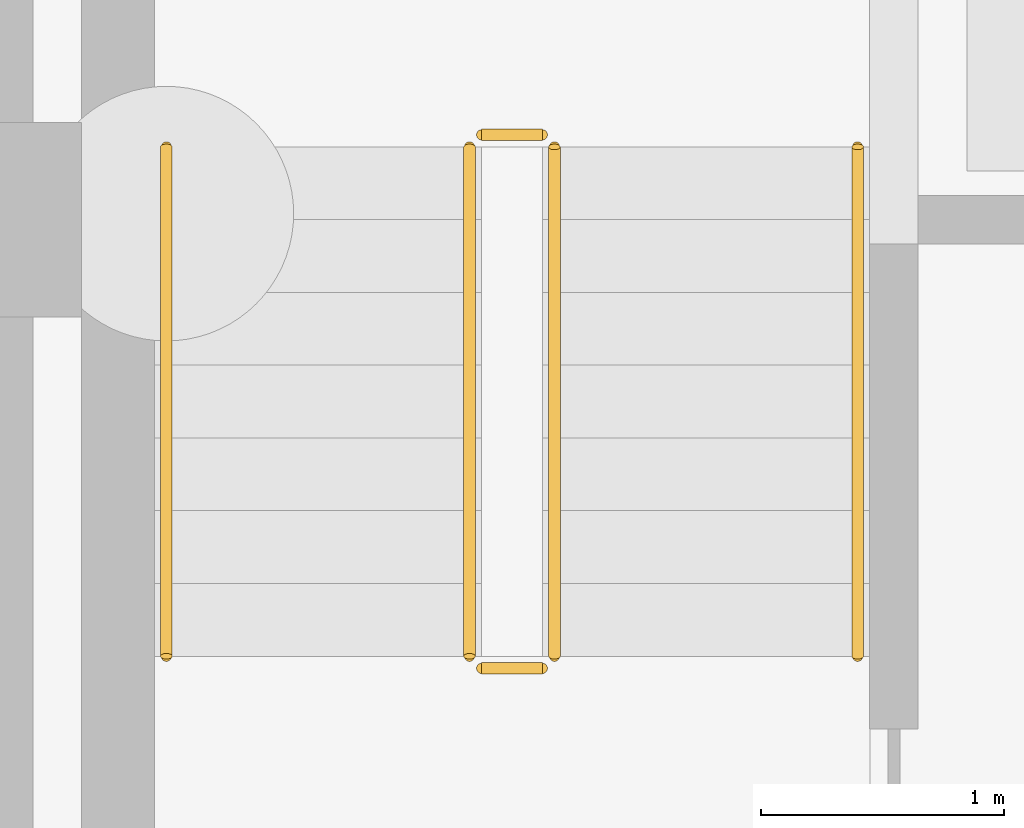
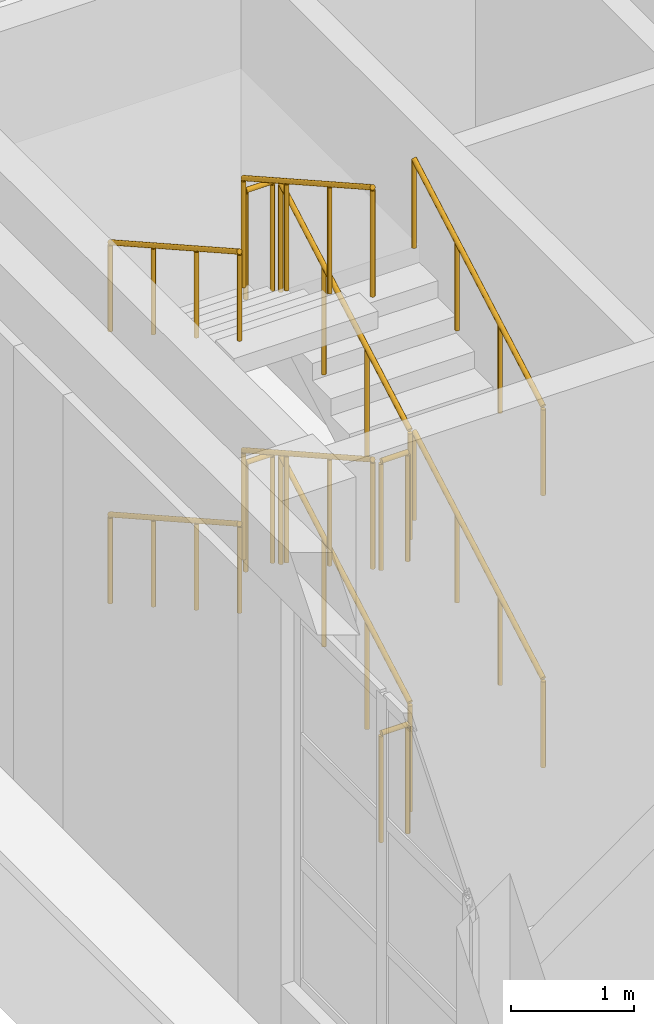
# One storey, part 70 of 80: 12 railings.
"""IFC4 building model written with IfcOpenShell, lengths in metres."""

from ifc_helpers import new_model, si_unit, direction, frame, origin, origin_2d, place, context, subcontext, project, spatial, circle, extrude, material, type_object, element, save


model = new_model("IFC4")

# Units and contexts
model_context = context("Model", 3, precision=1e-05, world=origin(), true_north=direction((0.0, 1.0)))
body_context = subcontext(model_context, "Body", "Model", "MODEL_VIEW")
ifc_project = project(units=[si_unit("LENGTHUNIT", "METRE"), si_unit("AREAUNIT", "SQUARE_METRE"), si_unit("VOLUMEUNIT", "CUBIC_METRE"), si_unit("PLANEANGLEUNIT", "RADIAN"), si_unit("MASSUNIT", "GRAM", prefix="KILO")], contexts=[model_context])

# Site, building, storey
site_placement = place(None, origin())
site = spatial("IfcSite", under=ifc_project, at=site_placement, CompositionType="ELEMENT")
building_placement = place(site_placement, origin())
building = spatial("IfcBuilding", under=site, at=building_placement, Name="Ussher Court Research Institute", CompositionType="ELEMENT")
storey_placement = place(building_placement, origin())
storey = spatial("IfcBuildingStorey", under=building, at=storey_placement, Name="L00", CompositionType="ELEMENT", Elevation=0.0)

# Railings
ifc_material_1 = material(Name="Painted steel balustrade", Category="steel")
railing_type_1 = type_object("IfcRailingType", Name="Stair guard 1100 steel balustrade", PredefinedType="GUARDRAIL", material=ifc_material_1)
railing_1_placement = place(storey_placement, frame((5.050048828125, 85.0, 0.168701171875)))
element("IfcRailing", 1, at=railing_1_placement, inside=storey, type_object=railing_type_1, Name="L00 D1 stair guard 1", PredefinedType="GUARDRAIL", context=body_context, shape_type="SweptSolid", body=[
    extrude(circle(Radius=0.02392578125, at=origin_2d()), frame((0.0, 0.0, 1.076171875), z_axis=(0.0, 0.871559301308, 0.490290102189), x_axis=(-1.0, 0.0, 0.0)), (0.0, 0.0, 1.0), 2.40966796875),
    extrude(circle(Radius=0.02099609375, at=origin_2d()), origin(), (0.0, 0.0, 1.0), 1.052001953125),
    extrude(circle(Radius=0.02099609375, at=origin_2d()), frame((0.0, 0.699951171875, 0.393798828125)), (0.0, 0.0, 1.0), 1.052001953125),
    extrude(circle(Radius=0.02099609375, at=origin_2d()), frame((0.0, 1.400146484375, 0.78759765625)), (0.0, 0.0, 1.0), 1.052001953125),
    extrude(circle(Radius=0.02099609375, at=origin_2d()), frame((0.0, 2.10009765625, 1.181396484375)), (0.0, 0.0, 1.0), 1.052001953125),
])
railing_2_placement = place(storey_placement, frame((5.0, 87.14990234375, 1.35009765625)))
element("IfcRailing", 2, at=railing_2_placement, inside=storey, type_object=railing_type_1, Name="L00 D1 stair guard 2", PredefinedType="GUARDRAIL", context=body_context, shape_type="SweptSolid", body=[
    extrude(circle(Radius=0.02392578125, at=origin_2d()), frame((0.0, 0.0, 1.076171875), z_axis=(-1.0, 0.0, 0.0), x_axis=(0.0, -1.0, 0.0)), (0.0, 0.0, 1.0), 0.25),
    extrude(circle(Radius=0.02099609375, at=origin_2d()), origin(), (0.0, 0.0, 1.0), 1.052001953125),
    extrude(circle(Radius=0.02099609375, at=origin_2d()), frame((-0.25, 0.0, 0.0)), (0.0, 0.0, 1.0), 1.052001953125),
])
railing_3_placement = place(storey_placement, frame((4.699951171875, 87.10009765625, 1.518798828125)))
element("IfcRailing", 3, at=railing_3_placement, inside=storey, type_object=railing_type_1, Name="L00 D1 stair guard 3", PredefinedType="GUARDRAIL", context=body_context, shape_type="SweptSolid", body=[
    extrude(circle(Radius=0.02392578125, at=origin_2d()), frame((0.0, 0.0, 1.076171875), z_axis=(0.0, -0.871602596039, 0.490213131788), x_axis=(1.0, 0.0, 0.0)), (0.0, 0.0, 1.0), 2.409423828125),
    extrude(circle(Radius=0.02099609375, at=origin_2d()), origin(), (0.0, 0.0, 1.0), 1.052001953125),
    extrude(circle(Radius=0.02099609375, at=origin_2d()), frame((0.0, -0.699951171875, 0.393798828125)), (0.0, 0.0, 1.0), 1.052001953125),
    extrude(circle(Radius=0.02099609375, at=origin_2d()), frame((0.0, -1.400146484375, 0.787353515625)), (0.0, 0.0, 1.0), 1.052001953125),
    extrude(circle(Radius=0.02099609375, at=origin_2d()), frame((0.0, -2.10009765625, 1.18115234375)), (0.0, 0.0, 1.0), 1.052001953125),
])
railing_4_placement = place(storey_placement, frame((5.0, 84.949951171875, 2.699951171875)))
element("IfcRailing", 4, at=railing_4_placement, inside=storey, type_object=railing_type_1, Name="L00 D1 stair guard 4", PredefinedType="GUARDRAIL", context=body_context, shape_type="SweptSolid", body=[
    extrude(circle(Radius=0.02392578125, at=origin_2d()), frame((0.0, 0.0, 1.076171875), z_axis=(-1.0, 0.0, 0.0), x_axis=(0.0, -1.0, 0.0)), (0.0, 0.0, 1.0), 0.25),
    extrude(circle(Radius=0.02099609375, at=origin_2d()), origin(), (0.0, 0.0, 1.0), 1.052001953125),
    extrude(circle(Radius=0.02099609375, at=origin_2d()), frame((-0.25, 0.0, 0.0)), (0.0, 0.0, 1.0), 1.052001953125),
])
railing_5_placement = place(storey_placement, frame((5.050048828125, 85.0, 2.86865234375)))
element("IfcRailing", 5, at=railing_5_placement, inside=storey, type_object=railing_type_1, Name="L00 D1 stair guard 5", PredefinedType="GUARDRAIL", context=body_context, shape_type="SweptSolid", body=[
    extrude(circle(Radius=0.02392578125, at=origin_2d()), frame((0.0, 0.0, 1.076171875), z_axis=(0.0, 0.871559301308, 0.490290102189), x_axis=(-1.0, 0.0, 0.0)), (0.0, 0.0, 1.0), 2.40966796875),
    extrude(circle(Radius=0.02099609375, at=origin_2d()), origin(), (0.0, 0.0, 1.0), 1.052001953125),
    extrude(circle(Radius=0.02099609375, at=origin_2d()), frame((0.0, 0.699951171875, 0.393798828125)), (0.0, 0.0, 1.0), 1.052001953125),
    extrude(circle(Radius=0.02099609375, at=origin_2d()), frame((0.0, 1.400146484375, 0.78759765625)), (0.0, 0.0, 1.0), 1.052001953125),
    extrude(circle(Radius=0.02099609375, at=origin_2d()), frame((0.0, 2.10009765625, 1.181396484375)), (0.0, 0.0, 1.0), 1.052001953125),
])
railing_6_placement = place(storey_placement, frame((5.0, 87.14990234375, 4.050048828125)))
element("IfcRailing", 6, at=railing_6_placement, inside=storey, type_object=railing_type_1, Name="L00 D1 stair guard 6", PredefinedType="GUARDRAIL", context=body_context, shape_type="SweptSolid", body=[
    extrude(circle(Radius=0.02392578125, at=origin_2d()), frame((0.0, 0.0, 1.076171875), z_axis=(-1.0, 0.0, 0.0), x_axis=(0.0, -1.0, 0.0)), (0.0, 0.0, 1.0), 0.25),
    extrude(circle(Radius=0.02099609375, at=origin_2d()), origin(), (0.0, 0.0, 1.0), 1.052001953125),
    extrude(circle(Radius=0.02099609375, at=origin_2d()), frame((-0.25, 0.0, 0.0)), (0.0, 0.0, 1.0), 1.052001953125),
])
railing_7_placement = place(storey_placement, frame((4.699951171875, 87.10009765625, 4.21875)))
element("IfcRailing", 7, at=railing_7_placement, inside=storey, type_object=railing_type_1, Name="L00 D1 stair guard 7", PredefinedType="GUARDRAIL", context=body_context, shape_type="SweptSolid", body=[
    extrude(circle(Radius=0.02392578125, at=origin_2d()), frame((0.0, 0.0, 1.076171875), z_axis=(0.0, -0.871602596039, 0.490213131788), x_axis=(1.0, 0.0, 0.0)), (0.0, 0.0, 1.0), 2.409423828125),
    extrude(circle(Radius=0.02099609375, at=origin_2d()), origin(), (0.0, 0.0, 1.0), 1.052001953125),
    extrude(circle(Radius=0.02099609375, at=origin_2d()), frame((0.0, -0.699951171875, 0.393798828125)), (0.0, 0.0, 1.0), 1.052001953125),
    extrude(circle(Radius=0.02099609375, at=origin_2d()), frame((0.0, -1.400146484375, 0.787353515625)), (0.0, 0.0, 1.0), 1.052001953125),
    extrude(circle(Radius=0.02099609375, at=origin_2d()), frame((0.0, -2.10009765625, 1.18115234375)), (0.0, 0.0, 1.0), 1.052001953125),
])
railing_8_placement = place(storey_placement, frame((5.0, 84.949951171875, 0.0)))
element("IfcRailing", 8, at=railing_8_placement, inside=storey, type_object=railing_type_1, Name="L00 D1 stair guard 8", PredefinedType="GUARDRAIL", context=body_context, shape_type="SweptSolid", body=[
    extrude(circle(Radius=0.02392578125, at=origin_2d()), frame((0.0, 0.0, 1.076171875), z_axis=(-1.0, 0.0, 0.0), x_axis=(0.0, -1.0, 0.0)), (0.0, 0.0, 1.0), 0.25),
    extrude(circle(Radius=0.02099609375, at=origin_2d()), origin(), (0.0, 0.0, 1.0), 1.052001953125),
    extrude(circle(Radius=0.02099609375, at=origin_2d()), frame((-0.25, 0.0, 0.0)), (0.0, 0.0, 1.0), 1.052001953125),
])
ifc_material_2 = material(Name="Painted steel handrail", Category="steel")
railing_type_2 = type_object("IfcRailingType", Name="Stair handrail 900 steel", PredefinedType="HANDRAIL", material=ifc_material_2)
railing_9_placement = place(storey_placement, frame((6.300048828125, 85.0, 0.168701171875)))
element("IfcRailing", 9, at=railing_9_placement, inside=storey, type_object=railing_type_2, Name="L00 D1 stair handrail 1", PredefinedType="HANDRAIL", context=body_context, shape_type="SweptSolid", body=[
    extrude(circle(Radius=0.02392578125, at=origin_2d()), frame((0.0, 0.0, 0.8759765625), z_axis=(0.0, 0.871559301308, 0.490290102189), x_axis=(-1.0, 0.0, 0.0)), (0.0, 0.0, 1.0), 2.40966796875),
    extrude(circle(Radius=0.02099609375, at=origin_2d()), origin(), (0.0, 0.0, 1.0), 0.851806640625),
    extrude(circle(Radius=0.02099609375, at=origin_2d()), frame((0.0, 0.699951171875, 0.393798828125)), (0.0, 0.0, 1.0), 0.851806640625),
    extrude(circle(Radius=0.02099609375, at=origin_2d()), frame((0.0, 1.400146484375, 0.78759765625)), (0.0, 0.0, 1.0), 0.851806640625),
    extrude(circle(Radius=0.02099609375, at=origin_2d()), frame((0.0, 2.10009765625, 1.181396484375)), (0.0, 0.0, 1.0), 0.851806640625),
])
railing_10_placement = place(storey_placement, frame((3.449951171875, 87.10009765625, 1.518798828125)))
element("IfcRailing", 10, at=railing_10_placement, inside=storey, type_object=railing_type_2, Name="L00 D1 stair handrail 2", PredefinedType="HANDRAIL", context=body_context, shape_type="SweptSolid", body=[
    extrude(circle(Radius=0.02392578125, at=origin_2d()), frame((0.0, 0.0, 0.8759765625), z_axis=(0.0, -0.871602596039, 0.490213131788), x_axis=(1.0, 0.0, 0.0)), (0.0, 0.0, 1.0), 2.409423828125),
    extrude(circle(Radius=0.02099609375, at=origin_2d()), origin(), (0.0, 0.0, 1.0), 0.851806640625),
    extrude(circle(Radius=0.02099609375, at=origin_2d()), frame((0.0, -0.699951171875, 0.393798828125)), (0.0, 0.0, 1.0), 0.851806640625),
    extrude(circle(Radius=0.02099609375, at=origin_2d()), frame((0.0, -1.400146484375, 0.787353515625)), (0.0, 0.0, 1.0), 0.851806640625),
    extrude(circle(Radius=0.02099609375, at=origin_2d()), frame((0.0, -2.10009765625, 1.18115234375)), (0.0, 0.0, 1.0), 0.851806640625),
])
railing_11_placement = place(storey_placement, frame((6.300048828125, 85.0, 2.86865234375)))
element("IfcRailing", 11, at=railing_11_placement, inside=storey, type_object=railing_type_2, Name="L00 D1 stair handrail 3", PredefinedType="HANDRAIL", context=body_context, shape_type="SweptSolid", body=[
    extrude(circle(Radius=0.02392578125, at=origin_2d()), frame((0.0, 0.0, 0.8759765625), z_axis=(0.0, 0.871559301308, 0.490290102189), x_axis=(-1.0, 0.0, 0.0)), (0.0, 0.0, 1.0), 2.40966796875),
    extrude(circle(Radius=0.02099609375, at=origin_2d()), origin(), (0.0, 0.0, 1.0), 0.851806640625),
    extrude(circle(Radius=0.02099609375, at=origin_2d()), frame((0.0, 0.699951171875, 0.393798828125)), (0.0, 0.0, 1.0), 0.851806640625),
    extrude(circle(Radius=0.02099609375, at=origin_2d()), frame((0.0, 1.400146484375, 0.78759765625)), (0.0, 0.0, 1.0), 0.851806640625),
    extrude(circle(Radius=0.02099609375, at=origin_2d()), frame((0.0, 2.10009765625, 1.181396484375)), (0.0, 0.0, 1.0), 0.851806640625),
])
railing_12_placement = place(storey_placement, frame((3.449951171875, 87.10009765625, 4.21875)))
element("IfcRailing", 12, at=railing_12_placement, inside=storey, type_object=railing_type_2, Name="L00 D1 stair handrail 4", PredefinedType="HANDRAIL", context=body_context, shape_type="SweptSolid", body=[
    extrude(circle(Radius=0.02392578125, at=origin_2d()), frame((0.0, 0.0, 0.8759765625), z_axis=(0.0, -0.871602596039, 0.490213131788), x_axis=(1.0, 0.0, 0.0)), (0.0, 0.0, 1.0), 2.409423828125),
    extrude(circle(Radius=0.02099609375, at=origin_2d()), origin(), (0.0, 0.0, 1.0), 0.851806640625),
    extrude(circle(Radius=0.02099609375, at=origin_2d()), frame((0.0, -0.699951171875, 0.393798828125)), (0.0, 0.0, 1.0), 0.851806640625),
    extrude(circle(Radius=0.02099609375, at=origin_2d()), frame((0.0, -1.400146484375, 0.787353515625)), (0.0, 0.0, 1.0), 0.851806640625),
    extrude(circle(Radius=0.02099609375, at=origin_2d()), frame((0.0, -2.10009765625, 1.18115234375)), (0.0, 0.0, 1.0), 0.851806640625),
])

save(model, "model.ifc")
